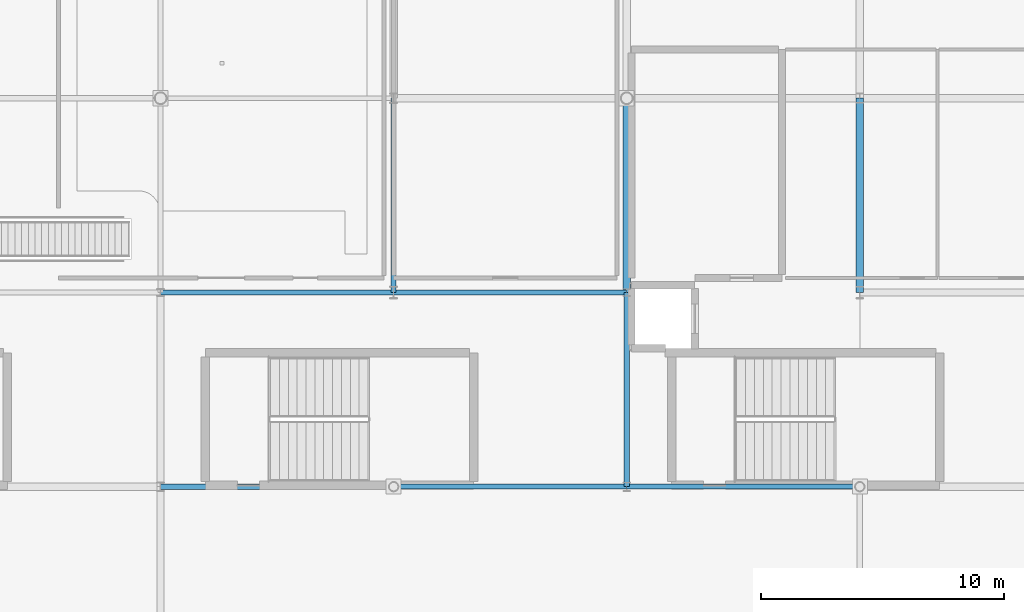
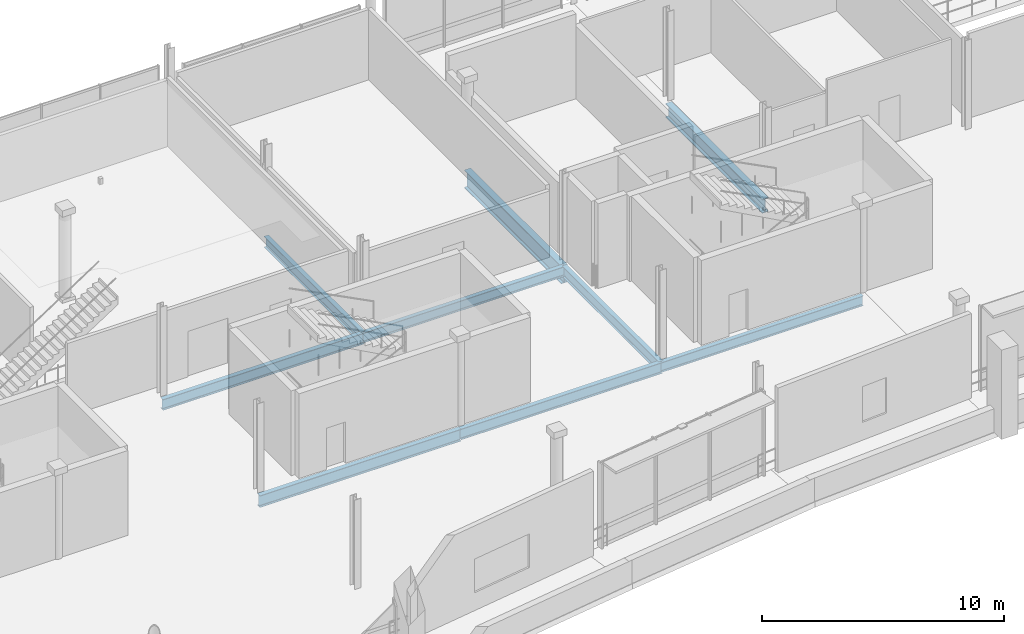
# One storey, part 15 of 59: 9 beams.
"""IFC4 building model written with IfcOpenShell, lengths in metres."""

from ifc_helpers import new_model, si_unit, direction, frame, origin, origin_2d, place, context, subcontext, project, spatial, i_section, extrude, material, material_profile, profile_set, type_object, element, save


model = new_model("IFC4")

# Units and contexts
model_context = context("Model", 3, precision=1e-05, world=origin(), true_north=direction((0.0, 1.0)))
body_context = subcontext(model_context, "Body", "Model", "MODEL_VIEW")
ifc_project = project(units=[si_unit("LENGTHUNIT", "METRE"), si_unit("AREAUNIT", "SQUARE_METRE"), si_unit("VOLUMEUNIT", "CUBIC_METRE"), si_unit("PLANEANGLEUNIT", "RADIAN"), si_unit("MASSUNIT", "GRAM", prefix="KILO")], contexts=[model_context])

# Site, building, storey
site_placement = place(None, origin())
site = spatial("IfcSite", under=ifc_project, at=site_placement, CompositionType="ELEMENT")
building_placement = place(site_placement, origin())
building = spatial("IfcBuilding", under=site, at=building_placement, Name="Danafjord Basin Convention Centre", CompositionType="ELEMENT")
storey_placement = place(building_placement, frame((0.0, 0.0, 15.89990234375)))
storey = spatial("IfcBuildingStorey", under=building, at=storey_placement, Name="L03", CompositionType="ELEMENT", Elevation=15.89990234375)

# Beams
ifc_material = material(Name="Steel S355", Category="steel")
ifc_material_profile_1 = material_profile(ifc_material, i_section(OverallWidth=0.300048828125, OverallDepth=0.699951171875, WebThickness=0.01708984375, FlangeThickness=0.031982421875, FilletRadius=0.027099609375, at=origin_2d()), Name="HEB 700")
ifc_profile_set_1 = profile_set([ifc_material_profile_1], Name="Steel S355")
beam_type_1 = type_object("IfcBeamType", Name="BEAM-BM-HEB700", PredefinedType="BEAM", material=ifc_profile_set_1)
beam_1_placement = place(storey_placement, frame((57.60009765625, 24.0, -0.579833984375), z_axis=(0.0, 1.0, 0.0), x_axis=(-1.0, 0.0, 0.0)))
element("IfcBeam", 1, at=beam_1_placement, inside=storey, type_object=beam_type_1, Name="L03 transverse girder BM-HEB700", PredefinedType="BEAM", context=body_context, shape_type="SweptSolid", body=[
    extrude(i_section(OverallWidth=0.300048828125, OverallDepth=0.699951171875, WebThickness=0.01708984375, FlangeThickness=0.031982421875, FilletRadius=0.027099609375, at=origin_2d()), origin(), (0.0, 0.0, 1.0), 8.0),
])
ifc_material_profile_2 = material_profile(ifc_material, i_section(OverallWidth=0.300048828125, OverallDepth=0.89990234375, WebThickness=0.0185546875, FlangeThickness=0.034912109375, FilletRadius=0.030029296875, at=origin_2d()), Name="HEB 900")
ifc_profile_set_2 = profile_set([ifc_material_profile_2], Name="Steel S355")
beam_type_2 = type_object("IfcBeamType", Name="BEAM-BM-HEB900", PredefinedType="BEAM", material=ifc_profile_set_2)
beam_2_placement = place(storey_placement, frame((48.0, 24.0, -0.679931640625), z_axis=(0.0, 1.0, 0.0), x_axis=(-1.0, 0.0, 0.0)))
element("IfcBeam", 2, at=beam_2_placement, inside=storey, type_object=beam_type_2, Name="L03 transverse girder BM-HEB900", PredefinedType="BEAM", context=body_context, shape_type="SweptSolid", body=[
    extrude(i_section(OverallWidth=0.300048828125, OverallDepth=0.89990234375, WebThickness=0.0185546875, FlangeThickness=0.034912109375, FilletRadius=0.030029296875, at=origin_2d()), origin(), (0.0, 0.0, 1.0), 8.0),
])
ifc_material_profile_3 = material_profile(ifc_material, i_section(OverallWidth=0.199951171875, OverallDepth=0.5, WebThickness=0.01025390625, FlangeThickness=0.01611328125, FilletRadius=0.02099609375, at=origin_2d()), Name="IPE 500")
ifc_profile_set_3 = profile_set([ifc_material_profile_3], Name="Steel S355")
beam_type_3 = type_object("IfcBeamType", Name="BEAM-BM-IPE500", PredefinedType="BEAM", material=ifc_profile_set_3)
for number, where, z_axis, x_axis, name in (
    (3, (38.39990234375, 24.0, -0.47998046875), (1.0, 0.0, 0.0), (0.0, 1.0, 0.0), "L03 girder BM-IPE500"),
    (4, (48.0, 16.0, -0.47998046875), (1.0, 0.0, 0.0), (0.0, 1.0, 0.0), "L03 girder BM-IPE500"),
):
    element("IfcBeam", number, at=place(storey_placement, frame(where, z_axis=z_axis, x_axis=x_axis)), inside=storey, type_object=beam_type_3, Name=name, PredefinedType="BEAM", context=body_context, shape_type="SweptSolid", body=[
        extrude(i_section(OverallWidth=0.199951171875, OverallDepth=0.5, WebThickness=0.01025390625, FlangeThickness=0.01611328125, FilletRadius=0.02099609375, at=origin_2d()), origin(), (0.0, 0.0, 1.0), 9.60009765625),
    ])
ifc_material_profile_4 = material_profile(ifc_material, i_section(OverallWidth=0.2099609375, OverallDepth=0.550048828125, WebThickness=0.010986328125, FlangeThickness=0.01708984375, FilletRadius=0.02392578125, at=origin_2d()), Name="IPE 550")
ifc_profile_set_4 = profile_set([ifc_material_profile_4], Name="Steel S355")
beam_type_4 = type_object("IfcBeamType", Name="BEAM-BM-IPE550", PredefinedType="BEAM", material=ifc_profile_set_4)
beam_3_placement = place(storey_placement, frame((28.800048828125, 24.0, -0.5048828125), z_axis=(1.0, 0.0, 0.0), x_axis=(0.0, 1.0, 0.0)))
element("IfcBeam", 5, at=beam_3_placement, inside=storey, type_object=beam_type_4, Name="L03 girder BM-IPE550", PredefinedType="BEAM", context=body_context, shape_type="SweptSolid", body=[
    extrude(i_section(OverallWidth=0.2099609375, OverallDepth=0.550048828125, WebThickness=0.010986328125, FlangeThickness=0.01708984375, FilletRadius=0.02392578125, at=origin_2d()), origin(), (0.0, 0.0, 1.0), 9.599853515625),
])
beam_4_placement = place(storey_placement, frame((38.39990234375, 16.0, -0.5048828125), z_axis=(1.0, 0.0, 0.0), x_axis=(0.0, 1.0, 0.0)))
element("IfcBeam", 6, at=beam_4_placement, inside=storey, type_object=beam_type_4, Name="L03 girder BM-IPE550", PredefinedType="BEAM", context=body_context, shape_type="SweptSolid", body=[
    extrude(i_section(OverallWidth=0.2099609375, OverallDepth=0.550048828125, WebThickness=0.010986328125, FlangeThickness=0.01708984375, FilletRadius=0.02392578125, at=origin_2d()), origin(), (0.0, 0.0, 1.0), 9.60009765625),
])
for number, where, z_axis, x_axis, name in (
    (7, (38.39990234375, 24.0, -0.5048828125), (0.0, 1.0, 0.0), (-1.0, 0.0, 0.0), "L03 transverse girder BM-IPE550"),
    (8, (48.0, 16.0, -0.5048828125), (0.0, 1.0, 0.0), (-1.0, 0.0, 0.0), "L03 transverse girder BM-IPE550"),
):
    element("IfcBeam", number, at=place(storey_placement, frame(where, z_axis=z_axis, x_axis=x_axis)), inside=storey, type_object=beam_type_4, Name=name, PredefinedType="BEAM", context=body_context, shape_type="SweptSolid", body=[
        extrude(i_section(OverallWidth=0.2099609375, OverallDepth=0.550048828125, WebThickness=0.010986328125, FlangeThickness=0.01708984375, FilletRadius=0.02392578125, at=origin_2d()), origin(), (0.0, 0.0, 1.0), 8.0),
    ])
ifc_material_profile_5 = material_profile(ifc_material, i_section(OverallWidth=0.219970703125, OverallDepth=0.60009765625, WebThickness=0.011962890625, FlangeThickness=0.01904296875, FilletRadius=0.02392578125, at=origin_2d()), Name="IPE 600")
ifc_profile_set_5 = profile_set([ifc_material_profile_5], Name="Steel S355")
beam_type_5 = type_object("IfcBeamType", Name="BEAM-BM-IPE600", PredefinedType="BEAM", material=ifc_profile_set_5)
beam_5_placement = place(storey_placement, frame((28.800048828125, 16.0, -0.52978515625), z_axis=(1.0, 0.0, 0.0), x_axis=(0.0, 1.0, 0.0)))
element("IfcBeam", 9, at=beam_5_placement, inside=storey, type_object=beam_type_5, Name="L03 girder BM-IPE600", PredefinedType="BEAM", context=body_context, shape_type="SweptSolid", body=[
    extrude(i_section(OverallWidth=0.219970703125, OverallDepth=0.60009765625, WebThickness=0.011962890625, FlangeThickness=0.01904296875, FilletRadius=0.02392578125, at=origin_2d()), origin(), (0.0, 0.0, 1.0), 9.599853515625),
])

save(model, "model.ifc")
